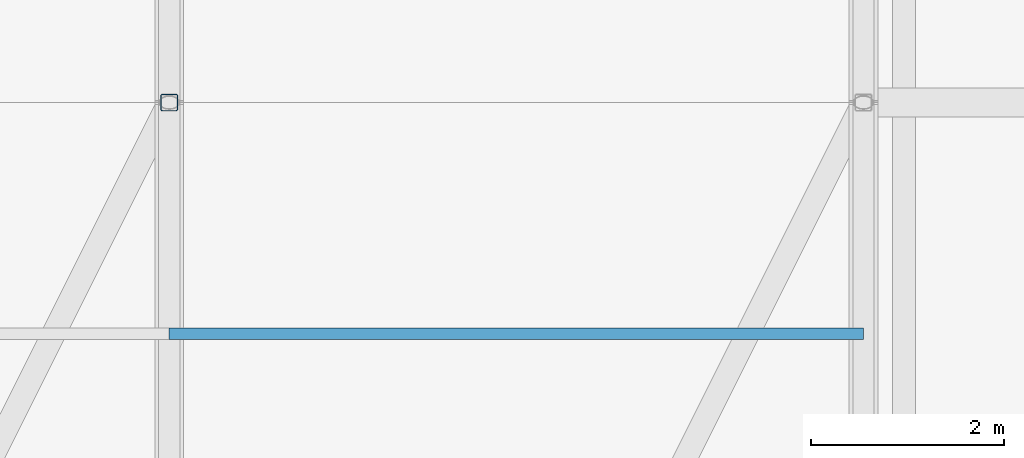
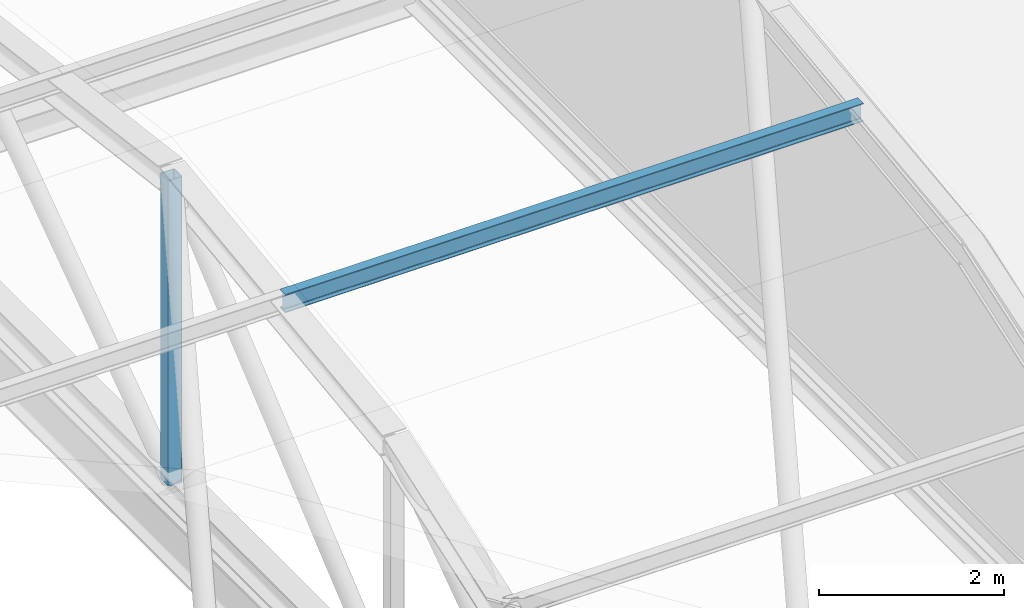
# One storey, part 23 of 103: 1 beam, 1 member.
"""IFC4 building model written with IfcOpenShell, lengths in metres."""

import ifcopenshell
import ifcopenshell.guid

model = None  # the IFC model being written
_history = None  # IfcOwnerHistory: only IFC2X3 demands one
_inside = {}  # id of a spatial element -> (the spatial element, [elements in it])
_under = {}  # id of a project, library or spatial element -> (it, [spatial elements below it])
_declared = {}  # id of a project -> (the project, [libraries it declares])
_typed = {}  # id of a type object -> (the type object, [elements of that type])
_made_of = {}  # id of a material, layer set ... -> (it, [elements and type objects made of it])


def new_model(schema):
    """Start an empty IFC model of exactly this schema.

    Asked for "IFC4X3", IfcOpenShell would pick the latest addendum, in which some entities
    have other attributes; the version numbers below select the first issue.
    IFC2X3 requires an IfcOwnerHistory on every rooted entity: one is made here for all.
    """
    global model, _history
    if schema == "IFC4X3":
        model = ifcopenshell.file(schema_version=(4, 3, 0, 0))
    else:
        model = ifcopenshell.file(schema=schema)
    _inside.clear()
    _under.clear()
    _declared.clear()
    _typed.clear()
    _made_of.clear()
    _history = None
    if model.schema == "IFC2X3":
        org = make("IfcOrganization", Name="unknown")
        user = make(
            "IfcPersonAndOrganization",
            ThePerson=make("IfcPerson", FamilyName="unknown"),
            TheOrganization=org,
        )
        app = make(
            "IfcApplication",
            ApplicationDeveloper=org,
            Version="unknown",
            ApplicationFullName="unknown",
            ApplicationIdentifier="unknown",
        )
        _history = make(
            "IfcOwnerHistory",
            OwningUser=user,
            OwningApplication=app,
            ChangeAction="ADDED",
            CreationDate=0,
        )
    return model


def make(cls, **values):
    """One entity of the class cls with the attributes given. An attribute that is None is left unset."""
    return model.create_entity(
        cls, **{name: value for name, value in values.items() if value is not None}
    )


def rooted(cls, **values):
    """An entity with a GlobalId (a new one), such as an element, a storey or a relation."""
    return make(cls, GlobalId=ifcopenshell.guid.new(), OwnerHistory=_history, **values)


def si_unit(unit_type, name, prefix=None):
    """IfcSIUnit, for example si_unit("LENGTHUNIT", "METRE", prefix="MILLI")."""
    return make("IfcSIUnit", UnitType=unit_type, Prefix=prefix, Name=name)


def assignment(units):
    """IfcUnitAssignment: the units of a project."""
    return None if units is None else make("IfcUnitAssignment", Units=units)


def point(xyz):
    """IfcCartesianPoint."""
    return None if xyz is None else make("IfcCartesianPoint", Coordinates=xyz)


def direction(xyz):
    """IfcDirection."""
    return None if xyz is None else make("IfcDirection", DirectionRatios=xyz)


def frame(location, z_axis=None, x_axis=None):
    """IfcAxis2Placement3D, a coordinate frame: its origin and axes. An axis left out is left unset."""
    return make(
        "IfcAxis2Placement3D",
        Location=point(location),
        Axis=direction(z_axis),
        RefDirection=direction(x_axis),
    )


def frame_2d(location, x_axis=None):
    """IfcAxis2Placement2D, a coordinate frame in the plane: its origin and x axis."""
    return make(
        "IfcAxis2Placement2D", Location=point(location), RefDirection=direction(x_axis)
    )


def origin():
    """The frame at (0, 0, 0) with its axes left unset."""
    return frame((0.0, 0.0, 0.0))


def origin_2d():
    """The frame at (0, 0) in the plane with its x axis left unset."""
    return frame_2d((0.0, 0.0))


def place(relative_to, where):
    """IfcLocalPlacement: puts the frame where relative to a parent placement (None: the world)."""
    return make(
        "IfcLocalPlacement", PlacementRelTo=relative_to, RelativePlacement=where
    )


def context(
    kind, dimensions, precision=None, world=None, true_north=None, identifier=None
):
    """IfcGeometricRepresentationContext, for example the 3D "Model" context."""
    return make(
        "IfcGeometricRepresentationContext",
        ContextIdentifier=identifier,
        ContextType=kind,
        CoordinateSpaceDimension=dimensions,
        Precision=precision,
        WorldCoordinateSystem=world,
        TrueNorth=true_north,
    )


def subcontext(parent, identifier, kind, view, scale=None):
    """IfcGeometricRepresentationSubContext, for example "Body" below "Model"."""
    return make(
        "IfcGeometricRepresentationSubContext",
        ContextIdentifier=identifier,
        ContextType=kind,
        ParentContext=parent,
        TargetScale=scale,
        TargetView=view,
    )


def project(units=None, contexts=None):
    """IfcProject with its units and contexts."""
    return rooted(
        "IfcProject",
        Name="project",
        RepresentationContexts=contexts,
        UnitsInContext=assignment(units),
    )


def spatial(cls, under=None, at=None, **own):
    """A site, building, storey or space (cls), placed at a placement, below another one or the project."""
    s = rooted(cls, ObjectPlacement=at, **own)
    if under is not None:
        _under.setdefault(under.id(), (under, []))[1].append(s)
    return s


def profile(cls, at=None, kind="AREA", **sizes):
    """A parametric profile (cls). Its sizes go by their IFC names, for example OverallWidth=200.0."""
    return make(cls, ProfileType=kind, Position=at, **sizes)


def hollow_rectangle(**sizes):
    """IfcRectangleHollowProfileDef."""
    return profile("IfcRectangleHollowProfileDef", **sizes)


def i_section(**sizes):
    """IfcIShapeProfileDef."""
    return profile("IfcIShapeProfileDef", **sizes)


def extrude(swept, where, along, depth):
    """IfcExtrudedAreaSolid: the profile swept, set in the frame where, extruded along a direction by depth."""
    return make(
        "IfcExtrudedAreaSolid",
        SweptArea=swept,
        Position=where,
        ExtrudedDirection=direction(along),
        Depth=depth,
    )


def shape(context_of_items, identifier, shape_type, items):
    """IfcShapeRepresentation: the items that make up one representation, for example the "Body"."""
    return make(
        "IfcShapeRepresentation",
        ContextOfItems=context_of_items,
        RepresentationIdentifier=identifier,
        RepresentationType=shape_type,
        Items=items,
    )


def material(Name=None, Category=None):
    """IfcMaterial."""
    return make("IfcMaterial", Name=Name, Category=Category)


def material_profile(
    of_material, cross_section, Name=None, Category=None, Priority=None
):
    """IfcMaterialProfile: a cross section and its material."""
    return make(
        "IfcMaterialProfile",
        Name=Name,
        Material=of_material,
        Profile=cross_section,
        Priority=Priority,
        Category=Category,
    )


def profile_set(profiles, Name=None, composite=None):
    """IfcMaterialProfileSet."""
    return make(
        "IfcMaterialProfileSet",
        Name=Name,
        MaterialProfiles=profiles,
        CompositeProfile=composite,
    )


def made_of(thing, what):
    """Note that an element or type object is made of a material, layer set ...; save() writes the relation."""
    if what is not None:
        _made_of.setdefault(what.id(), (what, []))[1].append(thing)
    return thing


def type_object(cls, material=None, **own):
    """A type object (cls), such as IfcWallType, which elements share."""
    return made_of(rooted(cls, **own), material)


def element(
    cls,
    number,
    at=None,
    inside=None,
    cuts=None,
    type_object=None,
    material=None,
    context=None,
    identifier="Body",
    shape_type=None,
    held_by="IfcProductDefinitionShape",
    body=None,
    shapes=None,
    **own,
):
    """One element of the class cls, such as IfcWall. Its Tag is "e" and its number.

    at: its placement. inside: the storey or other place that contains it. cuts: it is an
    opening in that element (IfcRelVoidsElement). A single representation is given by context,
    identifier, shape_type and body (its items); several are given by shapes. held_by: the class
    of the entity that holds the representations. save() writes the other relations.
    """
    e = rooted(cls, Tag="e%d" % number, ObjectPlacement=at, **own)
    if body is not None:
        shapes = [shape(context, identifier, shape_type, body)]
    if shapes is not None:
        e.Representation = make(held_by, Representations=shapes)
    if inside is not None:
        _inside.setdefault(inside.id(), (inside, []))[1].append(e)
    if cuts is not None:
        rooted(
            "IfcRelVoidsElement", RelatingBuildingElement=cuts, RelatedOpeningElement=e
        )
    if type_object is not None:
        _typed.setdefault(type_object.id(), (type_object, []))[1].append(e)
    return made_of(e, material)


def aggregate(whole, parts):
    """IfcRelAggregates: a whole, such as a stair, and the parts it consists of."""
    return rooted("IfcRelAggregates", RelatingObject=whole, RelatedObjects=parts)


def save(model, path):
    """Write the relations noted so far, then the file.

    IfcRelAggregates (storeys below a building ...), IfcRelContainedInSpatialStructure (elements
    in a storey), IfcRelDefinesByType, IfcRelAssociatesMaterial and IfcRelDeclares: one each for
    every whole, place, type object, material and project.
    """
    for whole, parts in _under.values():
        aggregate(whole, parts)
    for where, things in _inside.values():
        rooted(
            "IfcRelContainedInSpatialStructure",
            RelatedElements=things,
            RelatingStructure=where,
        )
    for kind, things in _typed.values():
        rooted("IfcRelDefinesByType", RelatedObjects=things, RelatingType=kind)
    for what, things in _made_of.values():
        rooted("IfcRelAssociatesMaterial", RelatedObjects=things, RelatingMaterial=what)
    for by, libraries in _declared.values():
        rooted("IfcRelDeclares", RelatingContext=by, RelatedDefinitions=libraries)
    model.write(path)


model = new_model("IFC4")

# Units and contexts
model_context = context("Model", 3, precision=1e-05, world=origin(), true_north=direction((0.0, 1.0)))
body_context = subcontext(model_context, "Body", "Model", "MODEL_VIEW")
ifc_project = project(units=[si_unit("LENGTHUNIT", "METRE"), si_unit("AREAUNIT", "SQUARE_METRE"), si_unit("VOLUMEUNIT", "CUBIC_METRE"), si_unit("PLANEANGLEUNIT", "RADIAN"), si_unit("MASSUNIT", "GRAM", prefix="KILO")], contexts=[model_context])

# Site, building, storey
site_placement = place(None, origin())
site = spatial("IfcSite", under=ifc_project, at=site_placement, CompositionType="ELEMENT")
building_placement = place(site_placement, origin())
building = spatial("IfcBuilding", under=site, at=building_placement, Name="Zlatovets Crest Museum", CompositionType="ELEMENT")
storey_placement = place(building_placement, frame((0.0, 0.0, 12.89990234375)))
storey = spatial("IfcBuildingStorey", under=building, at=storey_placement, Name="L03", CompositionType="ELEMENT", Elevation=12.89990234375)

# Beam
ifc_material = material(Name="Structural steel S355J2", Category="steel")
ifc_material_profile_1 = material_profile(ifc_material, i_section(OverallWidth=0.1201171875, OverallDepth=0.239990234375, WebThickness=0.006103515625, FlangeThickness=0.009765625, FilletRadius=0.014892578125, at=origin_2d()), Name="IPE 240")
ifc_profile_set_1 = profile_set([ifc_material_profile_1], Name="Structural steel S355J2")
beam_type = type_object("IfcBeamType", Name="Beam_PR-01", PredefinedType="BEAM", material=ifc_profile_set_1)
beam_placement = place(storey_placement, frame((21.60009765625, 12.0, 3.89208984375), z_axis=(1.0, 0.0, 0.0), x_axis=(0.0, 1.0, 0.0)))
element("IfcBeam", 1, at=beam_placement, inside=storey, type_object=beam_type, Name="V3 Barrel Vault Longitudinal Purlin", PredefinedType="BEAM", context=body_context, shape_type="SweptSolid", body=[
    extrude(i_section(OverallWidth=0.1201171875, OverallDepth=0.239990234375, WebThickness=0.006103515625, FlangeThickness=0.009765625, FilletRadius=0.014892578125, at=origin_2d()), origin(), (0.0, 0.0, 1.0), 7.199951171875),
])

# Member
ifc_material_profile_2 = material_profile(ifc_material, hollow_rectangle(XDim=0.179931640625, YDim=0.179931640625, WallThickness=0.010009765625, InnerFilletRadius=0.010009765625, OuterFilletRadius=0.02001953125, at=origin_2d()), Name="SHS 180x180x10.0")
ifc_profile_set_2 = profile_set([ifc_material_profile_2], Name="Structural steel S355J2")
member_type = type_object("IfcMemberType", Name="Member_TM-04", PredefinedType="STRUT", material=ifc_profile_set_2)
member_placement = place(storey_placement, frame((21.60009765625, 14.39990234375, 0.080078125), z_axis=(0.0, 0.0, 1.0), x_axis=(1.0, 0.0, 0.0)))
element("IfcMember", 2, at=member_placement, inside=storey, type_object=member_type, Name="V3 Barrel Vault Web Strut", PredefinedType="STRUT", context=body_context, shape_type="SweptSolid", body=[
    extrude(hollow_rectangle(XDim=0.179931640625, YDim=0.179931640625, WallThickness=0.010009765625, InnerFilletRadius=0.010009765625, OuterFilletRadius=0.02001953125, at=origin_2d()), origin(), (0.0, 0.0, 1.0), 4.02001953125),
])

save(model, "model.ifc")
